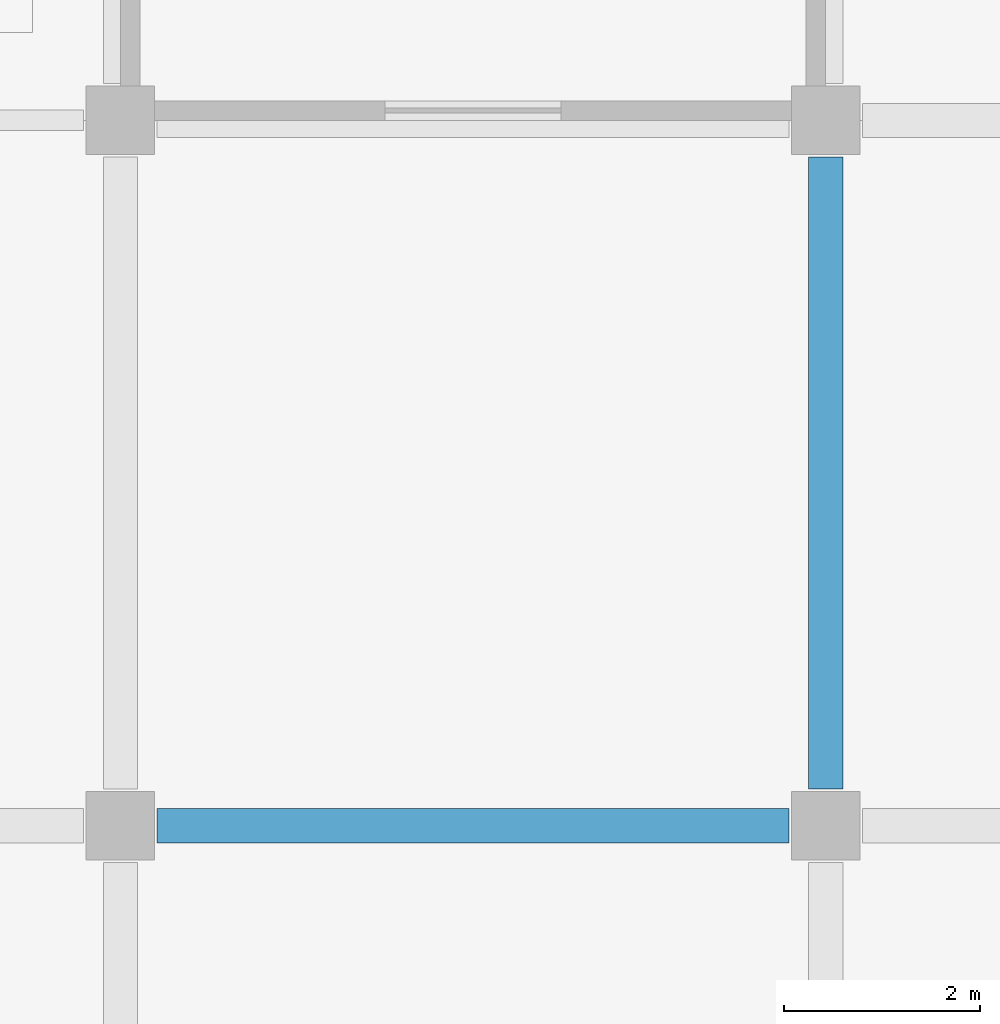
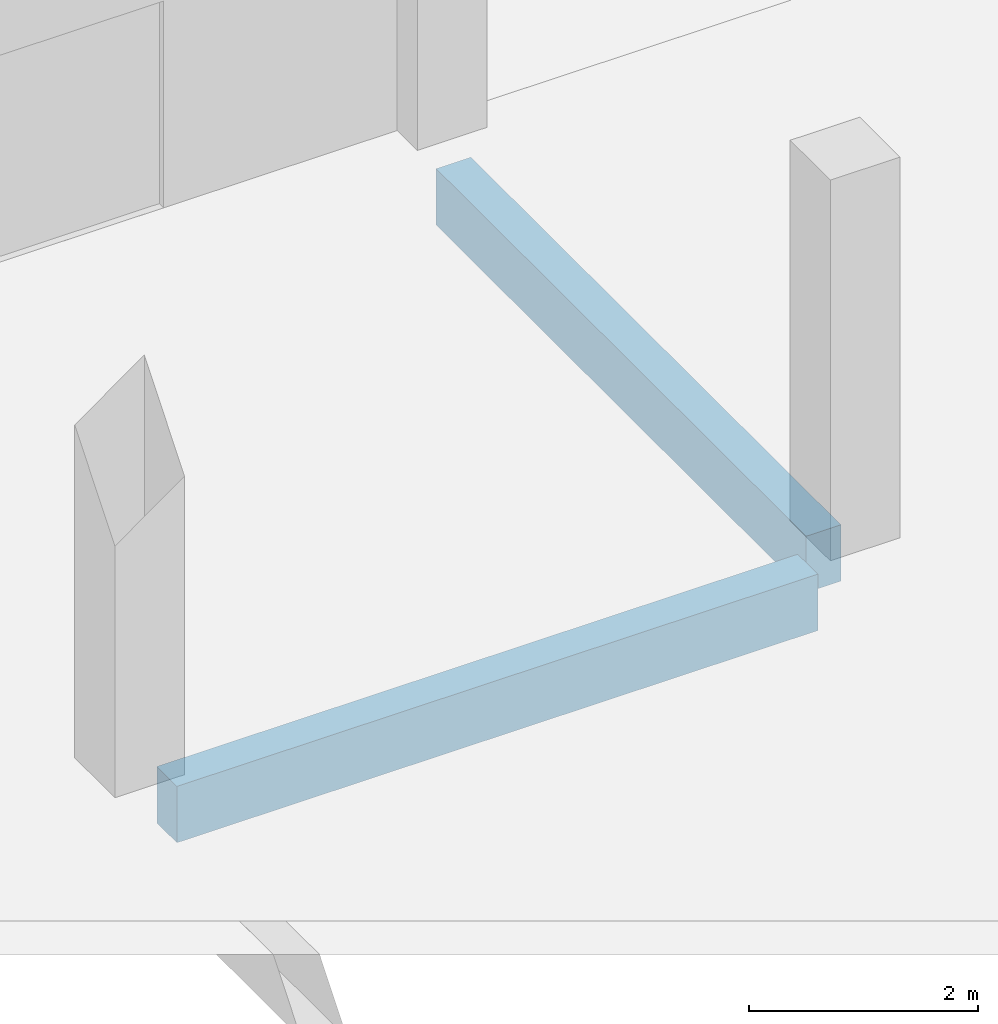
# One storey, part 52 of 91: 2 beams.
"""IFC4 building model written with IfcOpenShell, lengths in metres."""

from ifc_helpers import new_model, si_unit, direction, frame, origin, origin_2d, place, context, subcontext, project, spatial, rectangle, extrude, material, material_profile, profile_set, type_object, element, save


model = new_model("IFC4")

# Units and contexts
model_context = context("Model", 3, precision=1e-05, world=origin(), true_north=direction((0.0, 1.0)))
body_context = subcontext(model_context, "Body", "Model", "MODEL_VIEW")
ifc_project = project(units=[si_unit("LENGTHUNIT", "METRE"), si_unit("AREAUNIT", "SQUARE_METRE"), si_unit("VOLUMEUNIT", "CUBIC_METRE"), si_unit("PLANEANGLEUNIT", "RADIAN"), si_unit("MASSUNIT", "GRAM", prefix="KILO")], contexts=[model_context])

# Site, building, storey
site_placement = place(None, origin())
site = spatial("IfcSite", under=ifc_project, at=site_placement, CompositionType="ELEMENT")
building_placement = place(site_placement, origin())
building = spatial("IfcBuilding", under=site, at=building_placement, Name="Kangsadwip Square Police Headquarters", CompositionType="ELEMENT")
storey_placement = place(building_placement, frame((0.0, 0.0, 13.5)))
storey = spatial("IfcBuildingStorey", under=building, at=storey_placement, Name="L03", CompositionType="ELEMENT", Elevation=13.5)

# Beams
ifc_material = material(Name="Concrete M35 (35 MPa)", Category="concrete")
ifc_material_profile = material_profile(ifc_material, rectangle(XDim=0.35009765625, YDim=0.60009765625, at=origin_2d()), Name="RC BM 600X350")
ifc_profile_set = profile_set([ifc_material_profile], Name="Concrete M35 (35 MPa)")
beam_type = type_object("IfcBeamType", Name="RcBeam600x350", PredefinedType="BEAM", material=ifc_profile_set)
beam_1_placement = place(storey_placement, frame((151.574951171875, 86.39990234375, -0.5400390625), z_axis=(1.0, 0.0, 0.0), x_axis=(0.0, 1.0, 0.0)))
element("IfcBeam", 1, at=beam_1_placement, inside=storey, type_object=beam_type, Name="Beam BM-L03-X-21-12", PredefinedType="BEAM", context=body_context, shape_type="SweptSolid", body=[
    extrude(rectangle(XDim=0.35009765625, YDim=0.60009765625, at=origin_2d()), origin(), (0.0, 0.0, 1.0), 6.449951171875),
])
beam_2_placement = place(storey_placement, frame((158.39990234375, 86.77490234375, -0.5400390625), z_axis=(0.0, 1.0, 0.0), x_axis=(-1.0, 0.0, 0.0)))
element("IfcBeam", 2, at=beam_2_placement, inside=storey, type_object=beam_type, Name="Beam BM-L03-Y-22-12", PredefinedType="BEAM", context=body_context, shape_type="SweptSolid", body=[
    extrude(rectangle(XDim=0.35009765625, YDim=0.60009765625, at=origin_2d()), origin(), (0.0, 0.0, 1.0), 6.4501953125),
])

save(model, "model.ifc")
